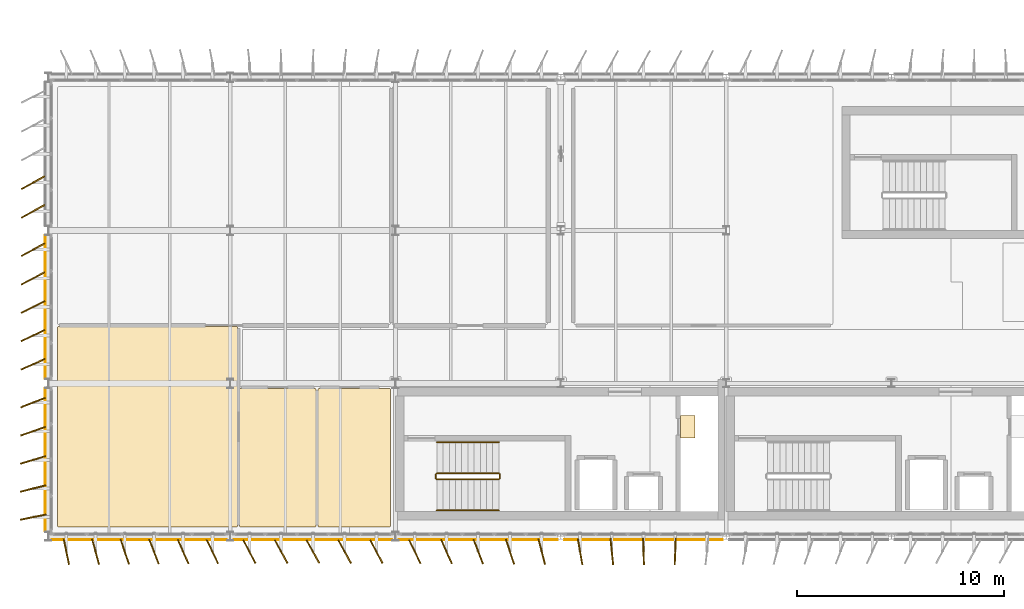
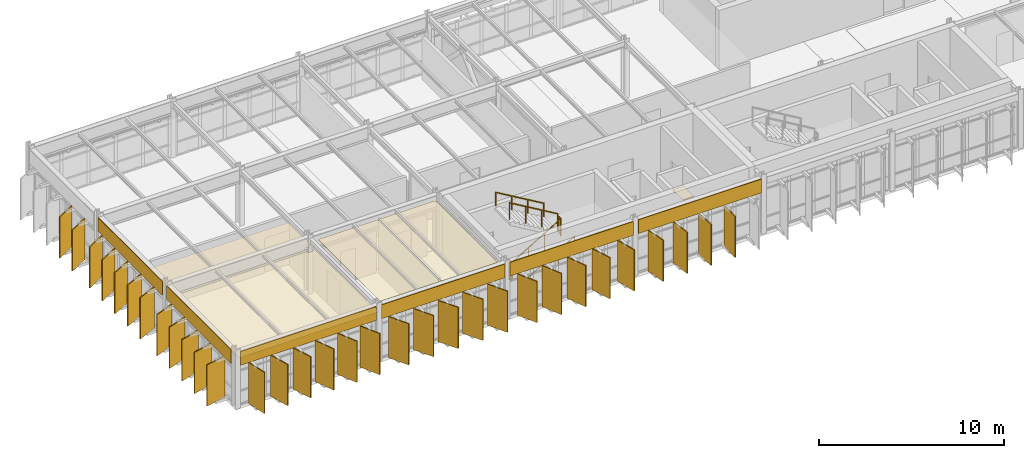
# One storey, part 30 of 35: 42 coverings, 6 railings.
"""IFC4 building model written with IfcOpenShell, lengths in metres."""

from ifc_helpers import new_model, si_unit, direction, frame, frame_2d, origin, origin_2d, place, context, subcontext, project, spatial, polyline, rectangle, circle, outline, extrude, material, layer, layer_set, type_object, element, save


model = new_model("IFC4")

# Units and contexts
model_context = context("Model", 3, precision=1e-05, world=origin(), true_north=direction((0.0, 1.0)))
body_context = subcontext(model_context, "Body", "Model", "MODEL_VIEW")
ifc_project = project(units=[si_unit("LENGTHUNIT", "METRE"), si_unit("AREAUNIT", "SQUARE_METRE"), si_unit("VOLUMEUNIT", "CUBIC_METRE"), si_unit("PLANEANGLEUNIT", "RADIAN"), si_unit("MASSUNIT", "GRAM", prefix="KILO")], contexts=[model_context])

# Site, building, storey
site_placement = place(None, origin())
site = spatial("IfcSite", under=ifc_project, at=site_placement, CompositionType="ELEMENT")
building_placement = place(site_placement, origin())
building = spatial("IfcBuilding", under=site, at=building_placement, Name="Valkorina Park Police Headquarters", CompositionType="ELEMENT")
storey_placement = place(building_placement, frame((0.0, 0.0, 27.199951171875)))
storey = spatial("IfcBuildingStorey", under=building, at=storey_placement, Name="L07", CompositionType="ELEMENT", Elevation=27.199951171875)

# Coverings
ifc_material_1 = material(Name="Acoustic mineral board")
ifc_layer_1 = layer(ifc_material_1, 0.02490234375)
ifc_layer_set_1 = layer_set([ifc_layer_1], Name="Acoustic mineral board")
covering_type_1 = type_object("IfcCoveringType", Name="COV-CEILING-ACOUST", PredefinedType="CEILING", material=ifc_layer_set_1)
covering_1_placement = place(storey_placement, frame((0.0, 0.0, 2.755126953125)))
element("IfcCovering", 1, at=covering_1_placement, inside=storey, type_object=covering_type_1, Name="West Overlook Briefing Seminar Room Acoustic Suspended Ceiling", PredefinedType="CEILING", context=body_context, shape_type="SweptSolid", body=[
    extrude(outline(polyline([(9.095703125, 47.158447265625), (9.087890625, 47.15966796875), (9.080078125, 47.159912109375), (0.52001953125, 47.159912109375), (0.51220703125, 47.15966796875), (0.50439453125, 47.158447265625), (0.496826171875, 47.156494140625), (0.489501953125, 47.15380859375), (0.482421875, 47.150634765625), (0.4755859375, 47.146484375), (0.46923828125, 47.141845703125), (0.46337890625, 47.13671875), (0.458251953125, 47.130859375), (0.45361328125, 47.12451171875), (0.449462890625, 47.11767578125), (0.446044921875, 47.110595703125), (0.443359375, 47.103271484375), (0.44140625, 47.095703125), (0.4404296875, 47.087890625), (0.43994140625, 47.080078125), (0.43994140625, 37.52001953125), (0.4404296875, 37.51220703125), (0.44140625, 37.50439453125), (0.443359375, 37.496826171875), (0.446044921875, 37.489501953125), (0.449462890625, 37.482421875), (0.45361328125, 37.4755859375), (0.458251953125, 37.46923828125), (0.46337890625, 37.46337890625), (0.46923828125, 37.458251953125), (0.4755859375, 37.45361328125), (0.482421875, 37.449462890625), (0.489501953125, 37.446044921875), (0.496826171875, 37.443359375), (0.50439453125, 37.44140625), (0.51220703125, 37.4404296875), (0.52001953125, 37.43994140625), (9.080078125, 37.43994140625), (9.087890625, 37.4404296875), (9.095703125, 37.44140625), (9.103271484375, 37.443359375), (9.110595703125, 37.446044921875), (9.11767578125, 37.449462890625), (9.12451171875, 37.45361328125), (9.130859375, 37.458251953125), (9.13671875, 37.46337890625), (9.141845703125, 37.46923828125), (9.146484375, 37.4755859375), (9.150634765625, 37.482421875), (9.15380859375, 37.489501953125), (9.156494140625, 37.496826171875), (9.158447265625, 37.50439453125), (9.15966796875, 37.51220703125), (9.159912109375, 37.52001953125), (9.159912109375, 47.080078125), (9.15966796875, 47.087890625), (9.158447265625, 47.095703125), (9.156494140625, 47.103271484375), (9.15380859375, 47.110595703125), (9.150634765625, 47.11767578125), (9.146484375, 47.12451171875), (9.141845703125, 47.130859375), (9.13671875, 47.13671875), (9.130859375, 47.141845703125), (9.12451171875, 47.146484375), (9.11767578125, 47.150634765625), (9.110595703125, 47.15380859375), (9.103271484375, 47.156494140625), (9.095703125, 47.158447265625)]), holes=[polyline([(8.64990234375, 44.175048828125), (8.64990234375, 44.625), (8.949951171875, 44.625), (8.949951171875, 44.175048828125), (8.64990234375, 44.175048828125)])]), origin(), (0.0, 0.0, 1.0), 0.02490234375),
])
covering_2_placement = place(storey_placement, frame((0.0, 0.0, 3.4150390625)))
element("IfcCovering", 2, at=covering_2_placement, inside=storey, type_object=covering_type_1, Name="L07 Male WC Acoustic Suspended Ceiling", PredefinedType="CEILING", context=body_context, shape_type="SweptSolid", body=[
    extrude(outline(polyline([(12.8955078125, 44.158447265625), (12.8876953125, 44.15966796875), (12.8798828125, 44.159912109375), (9.320068359375, 44.159912109375), (9.312255859375, 44.15966796875), (9.304443359375, 44.158447265625), (9.296875, 44.156494140625), (9.289306640625, 44.15380859375), (9.2822265625, 44.150634765625), (9.275634765625, 44.146484375), (9.269287109375, 44.141845703125), (9.263427734375, 44.13671875), (9.25830078125, 44.130859375), (9.25341796875, 44.12451171875), (9.24951171875, 44.11767578125), (9.24609375, 44.110595703125), (9.243408203125, 44.103271484375), (9.241455078125, 44.095703125), (9.240478515625, 44.087890625), (9.239990234375, 44.080078125), (9.239990234375, 37.52001953125), (9.240478515625, 37.51220703125), (9.241455078125, 37.50439453125), (9.243408203125, 37.496826171875), (9.24609375, 37.489501953125), (9.24951171875, 37.482421875), (9.25341796875, 37.4755859375), (9.25830078125, 37.46923828125), (9.263427734375, 37.46337890625), (9.269287109375, 37.458251953125), (9.275634765625, 37.45361328125), (9.2822265625, 37.449462890625), (9.289306640625, 37.446044921875), (9.296875, 37.443359375), (9.304443359375, 37.44140625), (9.312255859375, 37.4404296875), (9.320068359375, 37.43994140625), (12.8798828125, 37.43994140625), (12.8876953125, 37.4404296875), (12.8955078125, 37.44140625), (12.9033203125, 37.443359375), (12.91064453125, 37.446044921875), (12.917724609375, 37.449462890625), (12.92431640625, 37.45361328125), (12.930908203125, 37.458251953125), (12.9365234375, 37.46337890625), (12.94189453125, 37.46923828125), (12.946533203125, 37.4755859375), (12.95068359375, 37.482421875), (12.953857421875, 37.489501953125), (12.95654296875, 37.496826171875), (12.95849609375, 37.50439453125), (12.959716796875, 37.51220703125), (12.9599609375, 37.52001953125), (12.9599609375, 44.080078125), (12.959716796875, 44.087890625), (12.95849609375, 44.095703125), (12.95654296875, 44.103271484375), (12.953857421875, 44.110595703125), (12.95068359375, 44.11767578125), (12.946533203125, 44.12451171875), (12.94189453125, 44.130859375), (12.9365234375, 44.13671875), (12.930908203125, 44.141845703125), (12.92431640625, 44.146484375), (12.917724609375, 44.150634765625), (12.91064453125, 44.15380859375), (12.9033203125, 44.156494140625), (12.8955078125, 44.158447265625)])), origin(), (0.0, 0.0, 1.0), 0.02490234375),
])
covering_3_placement = place(storey_placement, frame((0.0, 0.0, 3.4150390625)))
element("IfcCovering", 3, at=covering_3_placement, inside=storey, type_object=covering_type_1, Name="L07 Female WC Acoustic Suspended Ceiling", PredefinedType="CEILING", context=body_context, shape_type="SweptSolid", body=[
    extrude(outline(polyline([(16.49560546875, 44.158447265625), (16.48779296875, 44.15966796875), (16.47998046875, 44.159912109375), (13.1201171875, 44.159912109375), (13.1123046875, 44.15966796875), (13.1044921875, 44.158447265625), (13.0966796875, 44.156494140625), (13.08935546875, 44.15380859375), (13.082275390625, 44.150634765625), (13.07568359375, 44.146484375), (13.069091796875, 44.141845703125), (13.0634765625, 44.13671875), (13.05810546875, 44.130859375), (13.053466796875, 44.12451171875), (13.04931640625, 44.11767578125), (13.046142578125, 44.110595703125), (13.04345703125, 44.103271484375), (13.04150390625, 44.095703125), (13.040283203125, 44.087890625), (13.0400390625, 44.080078125), (13.0400390625, 37.52001953125), (13.040283203125, 37.51220703125), (13.04150390625, 37.50439453125), (13.04345703125, 37.496826171875), (13.046142578125, 37.489501953125), (13.04931640625, 37.482421875), (13.053466796875, 37.4755859375), (13.05810546875, 37.46923828125), (13.0634765625, 37.46337890625), (13.069091796875, 37.458251953125), (13.07568359375, 37.45361328125), (13.082275390625, 37.449462890625), (13.08935546875, 37.446044921875), (13.0966796875, 37.443359375), (13.1044921875, 37.44140625), (13.1123046875, 37.4404296875), (13.1201171875, 37.43994140625), (16.47998046875, 37.43994140625), (16.48779296875, 37.4404296875), (16.49560546875, 37.44140625), (16.503173828125, 37.443359375), (16.510498046875, 37.446044921875), (16.517578125, 37.449462890625), (16.5244140625, 37.45361328125), (16.53076171875, 37.458251953125), (16.53662109375, 37.46337890625), (16.541748046875, 37.46923828125), (16.54638671875, 37.4755859375), (16.550537109375, 37.482421875), (16.553955078125, 37.489501953125), (16.556640625, 37.496826171875), (16.55859375, 37.50439453125), (16.5595703125, 37.51220703125), (16.56005859375, 37.52001953125), (16.56005859375, 44.080078125), (16.5595703125, 44.087890625), (16.55859375, 44.095703125), (16.556640625, 44.103271484375), (16.553955078125, 44.110595703125), (16.550537109375, 44.11767578125), (16.54638671875, 44.12451171875), (16.541748046875, 44.130859375), (16.53662109375, 44.13671875), (16.53076171875, 44.141845703125), (16.5244140625, 44.146484375), (16.517578125, 44.150634765625), (16.510498046875, 44.15380859375), (16.503173828125, 44.156494140625), (16.49560546875, 44.158447265625)])), origin(), (0.0, 0.0, 1.0), 0.02490234375),
])
ifc_material_2 = material(Name="Precast concrete C40/50", Category="concrete")
ifc_layer_2 = layer(ifc_material_2, 0.044921875)
ifc_layer_set_2 = layer_set([ifc_layer_2], Name="Precast concrete C40/50")
covering_type_2 = type_object("IfcCoveringType", Name="COV-CLAD-DOLOMITE", PredefinedType="CLADDING", material=ifc_layer_set_2)
for number, where, z_axis, x_axis, name in (
    (4, (32.639892578125, 36.840087890625, 2.77001953125), (0.0, 0.0, 1.0), (-1.0, 0.0, 0.0), "L07 Spandrel Beam Insulated Fascia 2557"),
    (5, (24.639892578125, 36.840087890625, 2.77001953125), (0.0, 0.0, 1.0), (-1.0, 0.0, 0.0), "L07 Spandrel Beam Insulated Fascia 2558"),
    (6, (16.639892578125, 36.840087890625, 2.77001953125), (0.0, 0.0, 1.0), (-1.0, 0.0, 0.0), "L07 Spandrel Beam Insulated Fascia 2559"),
):
    element("IfcCovering", number, at=place(storey_placement, frame(where, z_axis=z_axis, x_axis=x_axis)), inside=storey, type_object=covering_type_2, Name=name, PredefinedType="CLADDING", context=body_context, shape_type="SweptSolid", body=[
        extrude(rectangle(XDim=7.679931640625, YDim=0.044921875, at=frame_2d((3.83984375, 0.0))), origin(), (0.0, 0.0, 1.0), 0.909912109375),
    ])
covering_4_placement = place(storey_placement, frame((8.639892578125, 36.840087890625, 2.77001953125), z_axis=(0.0, 0.0, 1.0), x_axis=(-1.0, 0.0, 0.0)))
element("IfcCovering", 7, at=covering_4_placement, inside=storey, type_object=covering_type_2, Name="L07 Spandrel Beam Insulated Fascia 2560", PredefinedType="CLADDING", context=body_context, shape_type="SweptSolid", body=[
    extrude(rectangle(XDim=8.47998046875, YDim=0.044921875, at=frame_2d((4.239990234375, 0.0))), origin(), (0.0, 0.0, 1.0), 0.909912109375),
])
for number, where, z_axis, x_axis, name in (
    (8, (-0.159912109375, 37.235107421875, 2.77001953125), (0.0, 0.0, 1.0), (0.0, 1.0, 0.0), "L07 Spandrel Beam Insulated Fascia 2561"),
    (9, (-0.159912109375, 44.635009765625, 2.77001953125), (0.0, 0.0, 1.0), (0.0, 1.0, 0.0), "L07 Spandrel Beam Insulated Fascia 2562"),
):
    element("IfcCovering", number, at=place(storey_placement, frame(where, z_axis=z_axis, x_axis=x_axis)), inside=storey, type_object=covering_type_2, Name=name, PredefinedType="CLADDING", context=body_context, shape_type="SweptSolid", body=[
        extrude(rectangle(XDim=6.929931640625, YDim=0.044921875, at=frame_2d((3.46484375, 0.0))), origin(), (0.0, 0.0, 1.0), 0.909912109375),
    ])
ifc_material_3 = material(Name="Resin terrazzo flooring")
ifc_layer_3 = layer(ifc_material_3, 0.030029296875)
ifc_layer_set_3 = layer_set([ifc_layer_3], Name="Resin terrazzo flooring")
covering_type_3 = type_object("IfcCoveringType", Name="COV-FLOOR-TERRAZZO", PredefinedType="FLOORING", material=ifc_layer_set_3)
covering_5_placement = place(storey_placement, origin())
element("IfcCovering", 10, at=covering_5_placement, inside=storey, type_object=covering_type_3, Name="Core C1 L07 Riser Inspection Threshold Grate", PredefinedType="FLOORING", context=body_context, shape_type="SweptSolid", body=[
    extrude(outline(polyline([(31.280029296875, 41.75), (31.280029296875, 42.85009765625), (30.580078125, 42.85009765625), (30.580078125, 41.75), (31.280029296875, 41.75)])), origin(), (0.0, 0.0, 1.0), 0.030029296875),
])

# Railings
ifc_material_4 = material(Name="Stainless steel EN 1.4404", Category="steel")
railing_type_1 = type_object("IfcRailingType", Name="RL-GUARD-INT-1100", PredefinedType="BALUSTRADE", material=ifc_material_4)
railing_1_placement = place(storey_placement, frame((18.800048828125, 39.75, 0.17724609375)))
element("IfcRailing", 11, at=railing_1_placement, inside=storey, type_object=railing_type_1, Name="L07 Core C1 Stair Guard 1", PredefinedType="BALUSTRADE", context=body_context, shape_type="SweptSolid", body=[
    extrude(circle(Radius=0.02392578125, at=origin_2d()), frame((0.0, 0.0, 1.09619140625), z_axis=(0.86092931783, 0.0, 0.508724591208), x_axis=(0.0, 1.0, 0.0)), (0.0, 0.0, 1.0), 3.484619140625),
    extrude(circle(Radius=0.02099609375, at=origin_2d()), origin(), (0.0, 0.0, 1.0), 1.072021484375),
    extrude(circle(Radius=0.02099609375, at=origin_2d()), frame((1.0, 0.0, 0.5908203125)), (0.0, 0.0, 1.0), 1.072021484375),
    extrude(circle(Radius=0.02099609375, at=origin_2d()), frame((2.0, 0.0, 1.181884765625)), (0.0, 0.0, 1.0), 1.072021484375),
    extrude(circle(Radius=0.02099609375, at=origin_2d()), frame((3.0, 0.0, 1.772705078125)), (0.0, 0.0, 1.0), 1.072021484375),
])
railing_2_placement = place(storey_placement, frame((21.85009765625, 39.800048828125, 1.949951171875)))
element("IfcRailing", 12, at=railing_2_placement, inside=storey, type_object=railing_type_1, Name="L07 Core C1 Stair Guard 2", PredefinedType="BALUSTRADE", context=body_context, shape_type="SweptSolid", body=[
    extrude(circle(Radius=0.02392578125, at=origin_2d()), frame((0.0, 0.0, 1.09619140625), z_axis=(0.0, 1.0, 0.0), x_axis=(-1.0, 0.0, 0.0)), (0.0, 0.0, 1.0), 0.199951171875),
    extrude(circle(Radius=0.02099609375, at=origin_2d()), origin(), (0.0, 0.0, 1.0), 1.072021484375),
    extrude(circle(Radius=0.02099609375, at=origin_2d()), frame((0.0, 0.199951171875, 0.0)), (0.0, 0.0, 1.0), 1.072021484375),
])
railing_3_placement = place(storey_placement, frame((21.800048828125, 40.050048828125, 2.12744140625)))
element("IfcRailing", 13, at=railing_3_placement, inside=storey, type_object=railing_type_1, Name="L07 Core C1 Stair Guard 3", PredefinedType="BALUSTRADE", context=body_context, shape_type="SweptSolid", body=[
    extrude(circle(Radius=0.02392578125, at=origin_2d()), frame((0.0, 0.0, 1.09619140625), z_axis=(-0.86092931783, 0.0, 0.508724591208), x_axis=(0.0, -1.0, 0.0)), (0.0, 0.0, 1.0), 3.484619140625),
    extrude(circle(Radius=0.02099609375, at=origin_2d()), origin(), (0.0, 0.0, 1.0), 1.072021484375),
    extrude(circle(Radius=0.02099609375, at=origin_2d()), frame((-1.0, 0.0, 0.5908203125)), (0.0, 0.0, 1.0), 1.072021484375),
    extrude(circle(Radius=0.02099609375, at=origin_2d()), frame((-2.0, 0.0, 1.181884765625)), (0.0, 0.0, 1.0), 1.072021484375),
    extrude(circle(Radius=0.02099609375, at=origin_2d()), frame((-3.0, 0.0, 1.772705078125)), (0.0, 0.0, 1.0), 1.072021484375),
])
railing_4_placement = place(storey_placement, frame((18.75, 39.800048828125, 0.0)))
element("IfcRailing", 14, at=railing_4_placement, inside=storey, type_object=railing_type_1, Name="L07 Core C1 Stair Guard 4", PredefinedType="BALUSTRADE", context=body_context, shape_type="SweptSolid", body=[
    extrude(circle(Radius=0.02392578125, at=origin_2d()), frame((0.0, 0.0, 1.09619140625), z_axis=(0.0, 1.0, 0.0), x_axis=(-1.0, 0.0, 0.0)), (0.0, 0.0, 1.0), 0.199951171875),
    extrude(circle(Radius=0.02099609375, at=origin_2d()), origin(), (0.0, 0.0, 1.0), 1.072021484375),
    extrude(circle(Radius=0.02099609375, at=origin_2d()), frame((0.0, 0.199951171875, 0.0)), (0.0, 0.0, 1.0), 1.072021484375),
])
railing_type_2 = type_object("IfcRailingType", Name="RL-HANDRAIL-900", PredefinedType="HANDRAIL", material=ifc_material_4)
railing_5_placement = place(storey_placement, frame((18.800048828125, 38.25, 0.17724609375)))
element("IfcRailing", 15, at=railing_5_placement, inside=storey, type_object=railing_type_2, Name="L07 Core C1 Stair Handrail 1", PredefinedType="HANDRAIL", context=body_context, shape_type="SweptSolid", body=[
    extrude(circle(Radius=0.02392578125, at=origin_2d()), frame((0.0, 0.0, 0.8759765625), z_axis=(0.86092931783, 0.0, 0.508724591208), x_axis=(0.0, 1.0, 0.0)), (0.0, 0.0, 1.0), 3.484619140625),
    extrude(circle(Radius=0.02099609375, at=origin_2d()), origin(), (0.0, 0.0, 1.0), 0.851806640625),
    extrude(circle(Radius=0.02099609375, at=origin_2d()), frame((1.0, 0.0, 0.5908203125)), (0.0, 0.0, 1.0), 0.851806640625),
    extrude(circle(Radius=0.02099609375, at=origin_2d()), frame((2.0, 0.0, 1.181884765625)), (0.0, 0.0, 1.0), 0.851806640625),
    extrude(circle(Radius=0.02099609375, at=origin_2d()), frame((3.0, 0.0, 1.772705078125)), (0.0, 0.0, 1.0), 0.851806640625),
])
railing_6_placement = place(storey_placement, frame((21.800048828125, 41.550048828125, 2.12744140625)))
element("IfcRailing", 16, at=railing_6_placement, inside=storey, type_object=railing_type_2, Name="L07 Core C1 Stair Handrail 2", PredefinedType="HANDRAIL", context=body_context, shape_type="SweptSolid", body=[
    extrude(circle(Radius=0.02392578125, at=origin_2d()), frame((0.0, 0.0, 0.8759765625), z_axis=(-0.86092931783, 0.0, 0.508724591208), x_axis=(0.0, -1.0, 0.0)), (0.0, 0.0, 1.0), 3.484619140625),
    extrude(circle(Radius=0.02099609375, at=origin_2d()), origin(), (0.0, 0.0, 1.0), 0.851806640625),
    extrude(circle(Radius=0.02099609375, at=origin_2d()), frame((-1.0, 0.0, 0.5908203125)), (0.0, 0.0, 1.0), 0.851806640625),
    extrude(circle(Radius=0.02099609375, at=origin_2d()), frame((-2.0, 0.0, 1.181884765625)), (0.0, 0.0, 1.0), 0.851806640625),
    extrude(circle(Radius=0.02099609375, at=origin_2d()), frame((-3.0, 0.0, 1.772705078125)), (0.0, 0.0, 1.0), 0.851806640625),
])

# Coverings
ifc_material_5 = material(Name="Polychrome anodized aluminium - Baltic Amber", Category="aluminium")
ifc_layer_4 = layer(ifc_material_5, 0.06494140625)
ifc_layer_set_4 = layer_set([ifc_layer_4], Name="Polychrome anodized aluminium - Baltic Amber")
covering_type_4 = type_object("IfcCoveringType", Name="SHD-LOUVRE-AMBER", PredefinedType="CLADDING", material=ifc_layer_set_4)
for number, where, z_axis, x_axis, name in (
    (17, (28.800048828125, 36.260009765625, 0.0400390625), (0.0, 0.0, 1.0), (0.032282981026, -0.999478768727, 0.0), "V5 Polychrome Pivoting Louvre 0489"),
    (18, (22.3359375, 36.260009765625, 0.0400390625), (0.0, 0.0, 1.0), (0.312169112355, -0.950026549782, 0.0), "V5 Polychrome Pivoting Louvre 0493"),
    (19, (15.8720703125, 36.260009765625, 0.0400390625), (0.0, 0.0, 1.0), (0.467621293358, -0.883928914562, 0.0), "V5 Polychrome Pivoting Louvre 0497"),
    (20, (9.72802734375, 36.260009765625, 0.0400390625), (0.0, 0.0, 1.0), (0.464223811138, -0.885717930931, 0.0), "V5 Polychrome Pivoting Louvre 0501"),
    (21, (3.693359375, 36.260009765625, 0.0400390625), (0.0, 0.0, 1.0), (0.31763566447, -0.948212837214, 0.0), "V5 Polychrome Pivoting Louvre 0505"),
    (22, (-0.739990234375, 40.699951171875, 0.0400390625), (0.0, 0.0, 1.0), (-0.957168029617, -0.289533008618, 0.0), "V5 Polychrome Pivoting Louvre 0510"),
    (23, (-0.739990234375, 46.714111328125, 0.0400390625), (0.0, 0.0, 1.0), (-0.903035619536, -0.429565675827, 0.0), "V5 Polychrome Pivoting Louvre 0514"),
    (24, (-0.739990234375, 52.72802734375, 0.0400390625), (0.0, 0.0, 1.0), (-0.874957954937, -0.484198902407, 0.0), "V5 Polychrome Pivoting Louvre 0518"),
):
    element("IfcCovering", number, at=place(storey_placement, frame(where, z_axis=z_axis, x_axis=x_axis)), inside=storey, type_object=covering_type_4, Name=name, PredefinedType="CLADDING", context=body_context, shape_type="SweptSolid", body=[
        extrude(rectangle(XDim=1.280029296875, YDim=0.06494140625, at=origin_2d()), origin(), (0.0, 0.0, 1.0), 2.7099609375),
    ])
ifc_material_6 = material(Name="Polychrome anodized aluminium - Riga Ochre", Category="aluminium")
ifc_layer_5 = layer(ifc_material_6, 0.06494140625)
ifc_layer_set_5 = layer_set([ifc_layer_5], Name="Polychrome anodized aluminium - Riga Ochre")
covering_type_5 = type_object("IfcCoveringType", Name="SHD-LOUVRE-OCHRE", PredefinedType="CLADDING", material=ifc_layer_set_5)
for number, where, z_axis, x_axis, name in (
    (25, (25.72802734375, 36.260009765625, 0.0400390625), (0.0, 0.0, 1.0), (0.175366726092, -0.984503179974, 0.0), "V5 Polychrome Pivoting Louvre 0491"),
    (26, (19.263916015625, 36.260009765625, 0.0400390625), (0.0, 0.0, 1.0), (0.405460696925, -0.914112478445, 0.0), "V5 Polychrome Pivoting Louvre 0495"),
    (27, (12.800048828125, 36.260009765625, 0.0400390625), (0.0, 0.0, 1.0), (0.484809620246, -0.874619707139, 0.0), "V5 Polychrome Pivoting Louvre 0499"),
    (28, (6.52001953125, 36.260009765625, 0.0400390625), (0.0, 0.0, 1.0), (0.403225890599, -0.915100475986, 0.0), "V5 Polychrome Pivoting Louvre 0503"),
    (29, (0.86669921875, 36.260009765625, 0.0400390625), (0.0, 0.0, 1.0), (0.206716503214, -0.978400882716, 0.0), "V5 Polychrome Pivoting Louvre 0507"),
    (30, (-0.739990234375, 37.927978515625, 0.0400390625), (0.0, 0.0, 1.0), (-0.979575249599, -0.201077921146, 0.0), "V5 Polychrome Pivoting Louvre 0508"),
    (31, (-0.739990234375, 43.471923828125, 0.0400390625), (0.0, 0.0, 1.0), (-0.931373876365, -0.364064146031, 0.0), "V5 Polychrome Pivoting Louvre 0512"),
    (32, (-0.739990234375, 49.486083984375, 0.0400390625), (0.0, 0.0, 1.0), (-0.884825053421, -0.465923410914, 0.0), "V5 Polychrome Pivoting Louvre 0516"),
):
    element("IfcCovering", number, at=place(storey_placement, frame(where, z_axis=z_axis, x_axis=x_axis)), inside=storey, type_object=covering_type_5, Name=name, PredefinedType="CLADDING", context=body_context, shape_type="SweptSolid", body=[
        extrude(rectangle(XDim=1.280029296875, YDim=0.06494140625, at=origin_2d()), origin(), (0.0, 0.0, 1.0), 2.7099609375),
    ])
ifc_material_7 = material(Name="Polychrome anodized aluminium - Courland Slate Blue", Category="masonry")
ifc_layer_6 = layer(ifc_material_7, 0.06494140625)
ifc_layer_set_6 = layer_set([ifc_layer_6], Name="Polychrome anodized aluminium - Courland Slate Blue")
covering_type_6 = type_object("IfcCoveringType", Name="SHD-LOUVRE-SLATE", PredefinedType="CLADDING", material=ifc_layer_set_6)
for number, where, z_axis, x_axis, name in (
    (33, (30.3359375, 36.260009765625, 0.0400390625), (0.0, 0.0, 1.0), (-0.041526891525, -0.999137386589, 0.0), "V5 Polychrome Pivoting Louvre 0488"),
    (34, (23.8720703125, 36.260009765625, 0.0400390625), (0.0, 0.0, 1.0), (0.253926760789, -0.967223448927, 0.0), "V5 Polychrome Pivoting Louvre 0492"),
    (35, (17.72802734375, 36.260009765625, 0.0400390625), (0.0, 0.0, 1.0), (0.43915532554, -0.898411153119, 0.0), "V5 Polychrome Pivoting Louvre 0496"),
    (36, (11.263916015625, 36.260009765625, 0.0400390625), (0.0, 0.0, 1.0), (0.479151503112, -0.877732212617, 0.0), "V5 Polychrome Pivoting Louvre 0500"),
    (37, (5.106689453125, 36.260009765625, 0.0400390625), (0.0, 0.0, 1.0), (0.363901585079, -0.931437403359, 0.0), "V5 Polychrome Pivoting Louvre 0504"),
    (38, (-0.739990234375, 39.31396484375, 0.0400390625), (0.0, 0.0, 1.0), (-0.969058826108, -0.246829883811, 0.0), "V5 Polychrome Pivoting Louvre 0509"),
    (39, (-0.739990234375, 45.327880859375, 0.0400390625), (0.0, 0.0, 1.0), (-0.914536574598, -0.404503218432, 0.0), "V5 Polychrome Pivoting Louvre 0513"),
    (40, (-0.739990234375, 50.8720703125, 0.0400390625), (0.0, 0.0, 1.0), (-0.878900379191, -0.477005370471, 0.0), "V5 Polychrome Pivoting Louvre 0517"),
):
    element("IfcCovering", number, at=place(storey_placement, frame(where, z_axis=z_axis, x_axis=x_axis)), inside=storey, type_object=covering_type_6, Name=name, PredefinedType="CLADDING", context=body_context, shape_type="SweptSolid", body=[
        extrude(rectangle(XDim=1.280029296875, YDim=0.06494140625, at=origin_2d()), origin(), (0.0, 0.0, 1.0), 2.7099609375),
    ])
ifc_material_8 = material(Name="Polychrome anodized aluminium - Pine Verdigris", Category="aluminium")
ifc_layer_7 = layer(ifc_material_8, 0.06494140625)
ifc_layer_set_7 = layer_set([ifc_layer_7], Name="Polychrome anodized aluminium - Pine Verdigris")
covering_type_7 = type_object("IfcCoveringType", Name="SHD-LOUVRE-VERDIGRIS", PredefinedType="CLADDING", material=ifc_layer_set_7)
for number, where, z_axis, x_axis, name in (
    (41, (27.263916015625, 36.260009765625, 0.0400390625), (0.0, 0.0, 1.0), (0.105222745001, -0.994448678381, 0.0), "V5 Polychrome Pivoting Louvre 0490"),
    (42, (20.800048828125, 36.260009765625, 0.0400390625), (0.0, 0.0, 1.0), (0.362925986758, -0.931817969421, 0.0), "V5 Polychrome Pivoting Louvre 0494"),
    (43, (14.3359375, 36.260009765625, 0.0400390625), (0.0, 0.0, 1.0), (0.480835743909, -0.876810690731, 0.0), "V5 Polychrome Pivoting Louvre 0498"),
    (44, (7.933349609375, 36.260009765625, 0.0400390625), (0.0, 0.0, 1.0), (0.435073957475, -0.900394719846, 0.0), "V5 Polychrome Pivoting Louvre 0502"),
    (45, (2.280029296875, 36.260009765625, 0.0400390625), (0.0, 0.0, 1.0), (0.265051281935, -0.96423431693, 0.0), "V5 Polychrome Pivoting Louvre 0506"),
    (46, (-0.739990234375, 42.0859375, 0.0400390625), (0.0, 0.0, 1.0), (-0.944433753911, -0.32870181696, 0.0), "V5 Polychrome Pivoting Louvre 0511"),
    (47, (-0.739990234375, 48.10009765625, 0.0400390625), (0.0, 0.0, 1.0), (-0.892978943411, -0.450098441037, 0.0), "V5 Polychrome Pivoting Louvre 0515"),
    (48, (-0.739990234375, 54.114013671875, 0.0400390625), (0.0, 0.0, 1.0), (-0.874957954937, -0.484198902407, 0.0), "V5 Polychrome Pivoting Louvre 0519"),
):
    element("IfcCovering", number, at=place(storey_placement, frame(where, z_axis=z_axis, x_axis=x_axis)), inside=storey, type_object=covering_type_7, Name=name, PredefinedType="CLADDING", context=body_context, shape_type="SweptSolid", body=[
        extrude(rectangle(XDim=1.280029296875, YDim=0.06494140625, at=origin_2d()), origin(), (0.0, 0.0, 1.0), 2.7099609375),
    ])

save(model, "model.ifc")
